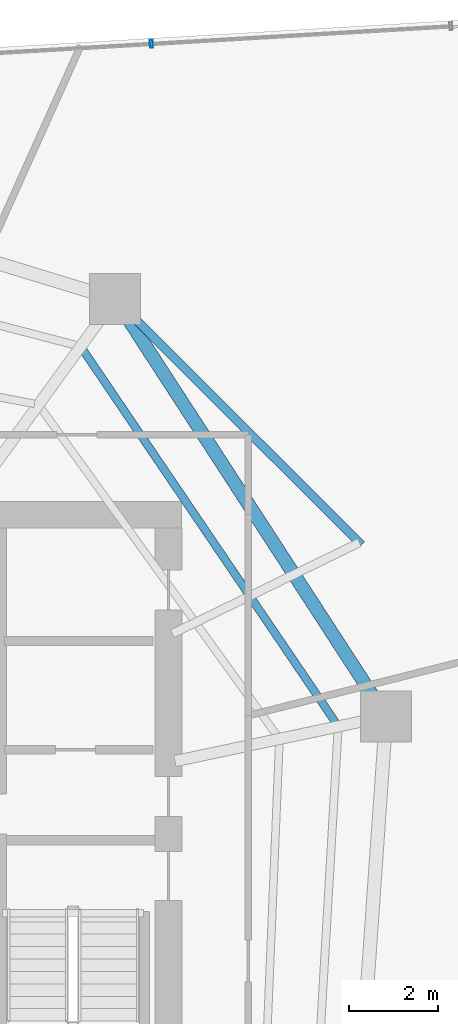
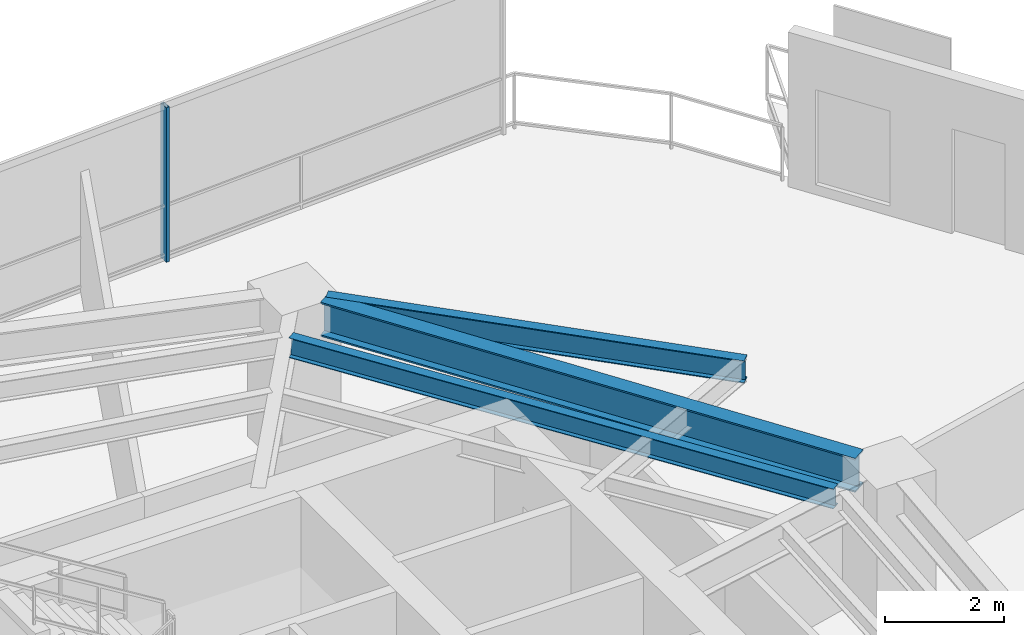
# One storey, part 22 of 30: 3 beams, 1 member, 1 element without a shape of its own.
"""IFC4 building model written with IfcOpenShell, lengths in metres."""

import ifcopenshell
import ifcopenshell.guid

model = None  # the IFC model being written
_history = None  # IfcOwnerHistory: only IFC2X3 demands one
_inside = {}  # id of a spatial element -> (the spatial element, [elements in it])
_under = {}  # id of a project, library or spatial element -> (it, [spatial elements below it])
_declared = {}  # id of a project -> (the project, [libraries it declares])
_typed = {}  # id of a type object -> (the type object, [elements of that type])
_made_of = {}  # id of a material, layer set ... -> (it, [elements and type objects made of it])


def new_model(schema):
    """Start an empty IFC model of exactly this schema.

    Asked for "IFC4X3", IfcOpenShell would pick the latest addendum, in which some entities
    have other attributes; the version numbers below select the first issue.
    IFC2X3 requires an IfcOwnerHistory on every rooted entity: one is made here for all.
    """
    global model, _history
    if schema == "IFC4X3":
        model = ifcopenshell.file(schema_version=(4, 3, 0, 0))
    else:
        model = ifcopenshell.file(schema=schema)
    _inside.clear()
    _under.clear()
    _declared.clear()
    _typed.clear()
    _made_of.clear()
    _history = None
    if model.schema == "IFC2X3":
        org = make("IfcOrganization", Name="unknown")
        user = make(
            "IfcPersonAndOrganization",
            ThePerson=make("IfcPerson", FamilyName="unknown"),
            TheOrganization=org,
        )
        app = make(
            "IfcApplication",
            ApplicationDeveloper=org,
            Version="unknown",
            ApplicationFullName="unknown",
            ApplicationIdentifier="unknown",
        )
        _history = make(
            "IfcOwnerHistory",
            OwningUser=user,
            OwningApplication=app,
            ChangeAction="ADDED",
            CreationDate=0,
        )
    return model


def make(cls, **values):
    """One entity of the class cls with the attributes given. An attribute that is None is left unset."""
    return model.create_entity(
        cls, **{name: value for name, value in values.items() if value is not None}
    )


def rooted(cls, **values):
    """An entity with a GlobalId (a new one), such as an element, a storey or a relation."""
    return make(cls, GlobalId=ifcopenshell.guid.new(), OwnerHistory=_history, **values)


def si_unit(unit_type, name, prefix=None):
    """IfcSIUnit, for example si_unit("LENGTHUNIT", "METRE", prefix="MILLI")."""
    return make("IfcSIUnit", UnitType=unit_type, Prefix=prefix, Name=name)


def assignment(units):
    """IfcUnitAssignment: the units of a project."""
    return None if units is None else make("IfcUnitAssignment", Units=units)


def point(xyz):
    """IfcCartesianPoint."""
    return None if xyz is None else make("IfcCartesianPoint", Coordinates=xyz)


def direction(xyz):
    """IfcDirection."""
    return None if xyz is None else make("IfcDirection", DirectionRatios=xyz)


def frame(location, z_axis=None, x_axis=None):
    """IfcAxis2Placement3D, a coordinate frame: its origin and axes. An axis left out is left unset."""
    return make(
        "IfcAxis2Placement3D",
        Location=point(location),
        Axis=direction(z_axis),
        RefDirection=direction(x_axis),
    )


def frame_2d(location, x_axis=None):
    """IfcAxis2Placement2D, a coordinate frame in the plane: its origin and x axis."""
    return make(
        "IfcAxis2Placement2D", Location=point(location), RefDirection=direction(x_axis)
    )


def origin():
    """The frame at (0, 0, 0) with its axes left unset."""
    return frame((0.0, 0.0, 0.0))


def origin_2d():
    """The frame at (0, 0) in the plane with its x axis left unset."""
    return frame_2d((0.0, 0.0))


def place(relative_to, where):
    """IfcLocalPlacement: puts the frame where relative to a parent placement (None: the world)."""
    return make(
        "IfcLocalPlacement", PlacementRelTo=relative_to, RelativePlacement=where
    )


def context(
    kind, dimensions, precision=None, world=None, true_north=None, identifier=None
):
    """IfcGeometricRepresentationContext, for example the 3D "Model" context."""
    return make(
        "IfcGeometricRepresentationContext",
        ContextIdentifier=identifier,
        ContextType=kind,
        CoordinateSpaceDimension=dimensions,
        Precision=precision,
        WorldCoordinateSystem=world,
        TrueNorth=true_north,
    )


def subcontext(parent, identifier, kind, view, scale=None):
    """IfcGeometricRepresentationSubContext, for example "Body" below "Model"."""
    return make(
        "IfcGeometricRepresentationSubContext",
        ContextIdentifier=identifier,
        ContextType=kind,
        ParentContext=parent,
        TargetScale=scale,
        TargetView=view,
    )


def project(units=None, contexts=None):
    """IfcProject with its units and contexts."""
    return rooted(
        "IfcProject",
        Name="project",
        RepresentationContexts=contexts,
        UnitsInContext=assignment(units),
    )


def spatial(cls, under=None, at=None, **own):
    """A site, building, storey or space (cls), placed at a placement, below another one or the project."""
    s = rooted(cls, ObjectPlacement=at, **own)
    if under is not None:
        _under.setdefault(under.id(), (under, []))[1].append(s)
    return s


def profile(cls, at=None, kind="AREA", **sizes):
    """A parametric profile (cls). Its sizes go by their IFC names, for example OverallWidth=200.0."""
    return make(cls, ProfileType=kind, Position=at, **sizes)


def hollow_rectangle(**sizes):
    """IfcRectangleHollowProfileDef."""
    return profile("IfcRectangleHollowProfileDef", **sizes)


def i_section(**sizes):
    """IfcIShapeProfileDef."""
    return profile("IfcIShapeProfileDef", **sizes)


def extrude(swept, where, along, depth):
    """IfcExtrudedAreaSolid: the profile swept, set in the frame where, extruded along a direction by depth."""
    return make(
        "IfcExtrudedAreaSolid",
        SweptArea=swept,
        Position=where,
        ExtrudedDirection=direction(along),
        Depth=depth,
    )


def shape(context_of_items, identifier, shape_type, items):
    """IfcShapeRepresentation: the items that make up one representation, for example the "Body"."""
    return make(
        "IfcShapeRepresentation",
        ContextOfItems=context_of_items,
        RepresentationIdentifier=identifier,
        RepresentationType=shape_type,
        Items=items,
    )


def material(Name=None, Category=None):
    """IfcMaterial."""
    return make("IfcMaterial", Name=Name, Category=Category)


def layer(
    of_material, thickness, ventilated=None, Name=None, Category=None, Priority=None
):
    """IfcMaterialLayer: one layer of a wall or slab, of a material (None: an air gap)."""
    return make(
        "IfcMaterialLayer",
        Material=of_material,
        LayerThickness=thickness,
        IsVentilated=ventilated,
        Name=Name,
        Category=Category,
        Priority=Priority,
    )


def layer_set(layers, Name=None):
    """IfcMaterialLayerSet."""
    return make("IfcMaterialLayerSet", MaterialLayers=layers, LayerSetName=Name)


def material_profile(
    of_material, cross_section, Name=None, Category=None, Priority=None
):
    """IfcMaterialProfile: a cross section and its material."""
    return make(
        "IfcMaterialProfile",
        Name=Name,
        Material=of_material,
        Profile=cross_section,
        Priority=Priority,
        Category=Category,
    )


def profile_set(profiles, Name=None, composite=None):
    """IfcMaterialProfileSet."""
    return make(
        "IfcMaterialProfileSet",
        Name=Name,
        MaterialProfiles=profiles,
        CompositeProfile=composite,
    )


def made_of(thing, what):
    """Note that an element or type object is made of a material, layer set ...; save() writes the relation."""
    if what is not None:
        _made_of.setdefault(what.id(), (what, []))[1].append(thing)
    return thing


def type_object(cls, material=None, **own):
    """A type object (cls), such as IfcWallType, which elements share."""
    return made_of(rooted(cls, **own), material)


def element(
    cls,
    number,
    at=None,
    inside=None,
    cuts=None,
    type_object=None,
    material=None,
    context=None,
    identifier="Body",
    shape_type=None,
    held_by="IfcProductDefinitionShape",
    body=None,
    shapes=None,
    **own,
):
    """One element of the class cls, such as IfcWall. Its Tag is "e" and its number.

    at: its placement. inside: the storey or other place that contains it. cuts: it is an
    opening in that element (IfcRelVoidsElement). A single representation is given by context,
    identifier, shape_type and body (its items); several are given by shapes. held_by: the class
    of the entity that holds the representations. save() writes the other relations.
    """
    e = rooted(cls, Tag="e%d" % number, ObjectPlacement=at, **own)
    if body is not None:
        shapes = [shape(context, identifier, shape_type, body)]
    if shapes is not None:
        e.Representation = make(held_by, Representations=shapes)
    if inside is not None:
        _inside.setdefault(inside.id(), (inside, []))[1].append(e)
    if cuts is not None:
        rooted(
            "IfcRelVoidsElement", RelatingBuildingElement=cuts, RelatedOpeningElement=e
        )
    if type_object is not None:
        _typed.setdefault(type_object.id(), (type_object, []))[1].append(e)
    return made_of(e, material)


def aggregate(whole, parts):
    """IfcRelAggregates: a whole, such as a stair, and the parts it consists of."""
    return rooted("IfcRelAggregates", RelatingObject=whole, RelatedObjects=parts)


def save(model, path):
    """Write the relations noted so far, then the file.

    IfcRelAggregates (storeys below a building ...), IfcRelContainedInSpatialStructure (elements
    in a storey), IfcRelDefinesByType, IfcRelAssociatesMaterial and IfcRelDeclares: one each for
    every whole, place, type object, material and project.
    """
    for whole, parts in _under.values():
        aggregate(whole, parts)
    for where, things in _inside.values():
        rooted(
            "IfcRelContainedInSpatialStructure",
            RelatedElements=things,
            RelatingStructure=where,
        )
    for kind, things in _typed.values():
        rooted("IfcRelDefinesByType", RelatedObjects=things, RelatingType=kind)
    for what, things in _made_of.values():
        rooted("IfcRelAssociatesMaterial", RelatedObjects=things, RelatingMaterial=what)
    for by, libraries in _declared.values():
        rooted("IfcRelDeclares", RelatingContext=by, RelatedDefinitions=libraries)
    model.write(path)


model = new_model("IFC4")

# Units and contexts
model_context = context("Model", 3, precision=1e-05, world=origin(), true_north=direction((0.0, 1.0)))
body_context = subcontext(model_context, "Body", "Model", "MODEL_VIEW")
ifc_project = project(units=[si_unit("LENGTHUNIT", "METRE"), si_unit("AREAUNIT", "SQUARE_METRE"), si_unit("VOLUMEUNIT", "CUBIC_METRE"), si_unit("PLANEANGLEUNIT", "RADIAN"), si_unit("MASSUNIT", "GRAM", prefix="KILO")], contexts=[model_context])

# Site, building, storey
site_placement = place(None, origin())
site = spatial("IfcSite", under=ifc_project, at=site_placement, CompositionType="ELEMENT")
building_placement = place(site_placement, origin())
building = spatial("IfcBuilding", under=site, at=building_placement, Name="Qarnah Convention Tower", CompositionType="ELEMENT")
storey_placement = place(building_placement, frame((0.0, 0.0, 79.800048828125)))
storey = spatial("IfcBuildingStorey", under=building, at=storey_placement, Name="L20", CompositionType="ELEMENT", Elevation=79.800048828125)

# Beams
ifc_material_1 = material(Name="Structural steel S355JR", Category="steel")
ifc_material_profile_1 = material_profile(ifc_material_1, i_section(OverallWidth=0.19189453125, OverallDepth=0.464111328125, WebThickness=0.010986328125, FlangeThickness=0.01806640625, at=origin_2d()), Name="W460X89")
ifc_profile_set_1 = profile_set([ifc_material_profile_1], Name="Structural steel S355JR")
beam_type_1 = type_object("IfcBeamType", Name="BM-CANT-W460A", PredefinedType="BEAM", material=ifc_profile_set_1)
beam_1_placement = place(storey_placement, frame((51.952880859375, 33.52099609375, 2.93798828125), z_axis=(-0.707978220507, 0.706234266577, 0.0), x_axis=(-0.706234266577, -0.707978220507, 0.0)))
element("IfcBeam", 1, at=beam_1_placement, inside=storey, type_object=beam_type_1, Name="L20 spandrel BM-L20-CTIE-01", PredefinedType="SPANDREL", context=body_context, shape_type="SweptSolid", body=[
    extrude(i_section(OverallWidth=0.19189453125, OverallDepth=0.464111328125, WebThickness=0.010986328125, FlangeThickness=0.01806640625, at=origin_2d()), origin(), (0.0, 0.0, 1.0), 7.279541015625),
])
ifc_material_profile_2 = material_profile(ifc_material_1, i_section(OverallWidth=0.177978515625, OverallDepth=0.407958984375, WebThickness=0.008056640625, FlangeThickness=0.012939453125, at=origin_2d()), Name="W410X60")
ifc_profile_set_2 = profile_set([ifc_material_profile_2], Name="Structural steel S355JR")
beam_type_2 = type_object("IfcBeamType", Name="BM-JST-W410", PredefinedType="JOIST", material=ifc_profile_set_2)
beam_2_placement = place(storey_placement, frame((51.3779296875, 29.5, 2.966064453125), z_axis=(-0.561116205741, 0.827737037745, 0.0), x_axis=(-0.827737037745, -0.561116205741, 0.0)))
element("IfcBeam", 2, at=beam_2_placement, inside=storey, type_object=beam_type_2, Name="L20 joist BM-L20-SJST-01", PredefinedType="JOIST", context=body_context, shape_type="SweptSolid", body=[
    extrude(i_section(OverallWidth=0.177978515625, OverallDepth=0.407958984375, WebThickness=0.008056640625, FlangeThickness=0.012939453125, at=origin_2d()), origin(), (0.0, 0.0, 1.0), 10.168701171875),
])
ifc_material_profile_3 = material_profile(ifc_material_1, i_section(OverallWidth=0.300048828125, OverallDepth=0.699951171875, WebThickness=0.01708984375, FlangeThickness=0.031982421875, at=origin_2d()), Name="HEB700")
ifc_profile_set_3 = profile_set([ifc_material_profile_3], Name="Structural steel S355JR")
beam_type_3 = type_object("IfcBeamType", Name="BM-RING-HEB700", PredefinedType="BEAM", material=ifc_profile_set_3)
beam_3_placement = place(storey_placement, frame((52.199951171875, 30.1279296875, 2.820068359375), z_axis=(-0.544610528714, 0.838689079465, 0.0), x_axis=(-0.838689079465, -0.544610528714, 0.0)))
element("IfcBeam", 3, at=beam_3_placement, inside=storey, type_object=beam_type_3, Name="L20 beam BM-L20-SPN-01", PredefinedType="BEAM", context=body_context, shape_type="SweptSolid", body=[
    extrude(i_section(OverallWidth=0.300048828125, OverallDepth=0.699951171875, WebThickness=0.01708984375, FlangeThickness=0.031982421875, at=origin_2d()), origin(), (0.0, 0.0, 1.0), 10.0859375),
])

# Curtain wall, member
ifc_material_2 = material(Name="Tempered Low-E dark glass", Category="glass")
ifc_layer = layer(ifc_material_2, 0.169921875)
ifc_layer_set = layer_set([ifc_layer], Name="Tempered Low-E dark glass")
curtain_wall_type = type_object("IfcCurtainWallType", Name="CWS-02", PredefinedType="NOTDEFINED", material=ifc_layer_set)
curtain_wall_placement = place(storey_placement, origin())
curtain_wall = element("IfcCurtainWall", 4, at=curtain_wall_placement, inside=storey, type_object=curtain_wall_type, Name="L20 unitised curtain wall CW-L20-F1", PredefinedType="NOTDEFINED")
ifc_material_3 = material(Name="Black anodised aluminium", Category="aluminium")
ifc_material_profile_4 = material_profile(ifc_material_3, hollow_rectangle(XDim=0.06494140625, YDim=0.179931640625, WallThickness=0.00390625, at=origin_2d()), Name="MUL-65X180")
ifc_profile_set_4 = profile_set([ifc_material_profile_4], Name="Black anodised aluminium")
member_type = type_object("IfcMemberType", Name="MUL-T2", PredefinedType="MULLION", material=ifc_profile_set_4)
member_placement = place(storey_placement, frame((47.214111328125, 44.819091796875, 0.0), z_axis=(0.0, 0.0, 1.0), x_axis=(0.998280582188, 0.058616373356, 0.0)))
member = element("IfcMember", 5, at=member_placement, type_object=member_type, Name="CW-L20-F1 mullion 5", PredefinedType="MULLION", context=body_context, shape_type="SweptSolid", body=[
    extrude(hollow_rectangle(XDim=0.06494140625, YDim=0.179931640625, WallThickness=0.00390625, at=origin_2d()), origin(), (0.0, 0.0, 1.0), 3.169921875),
])
aggregate(curtain_wall, [member])

save(model, "model.ifc")
